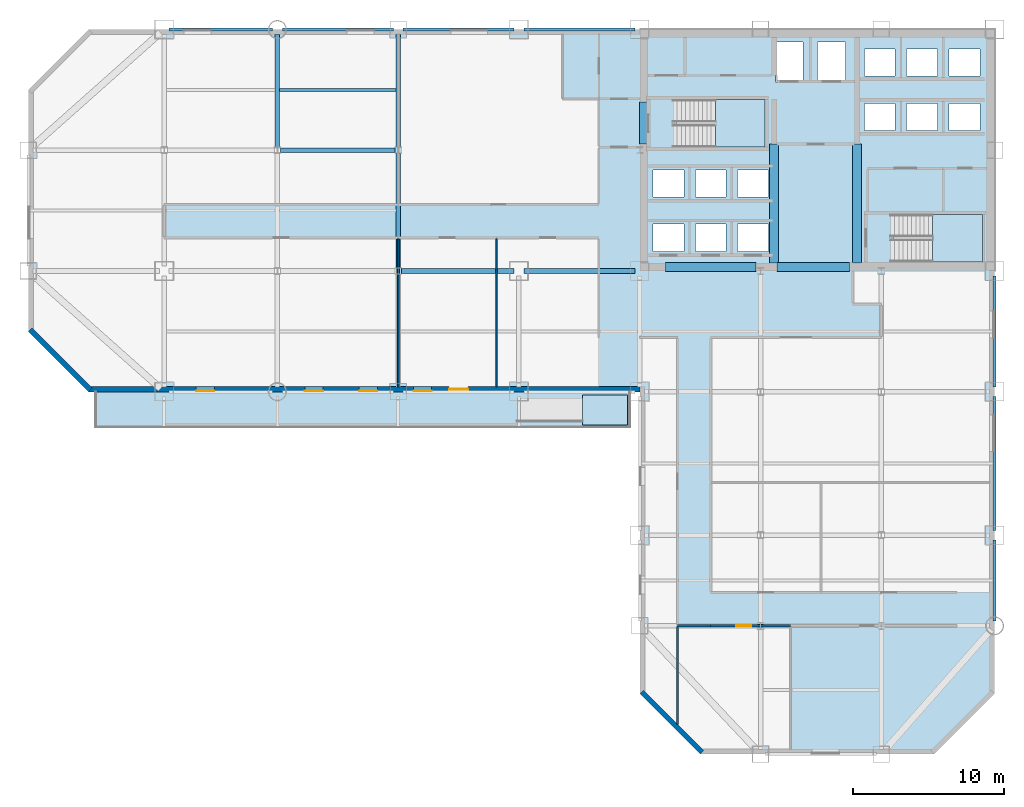
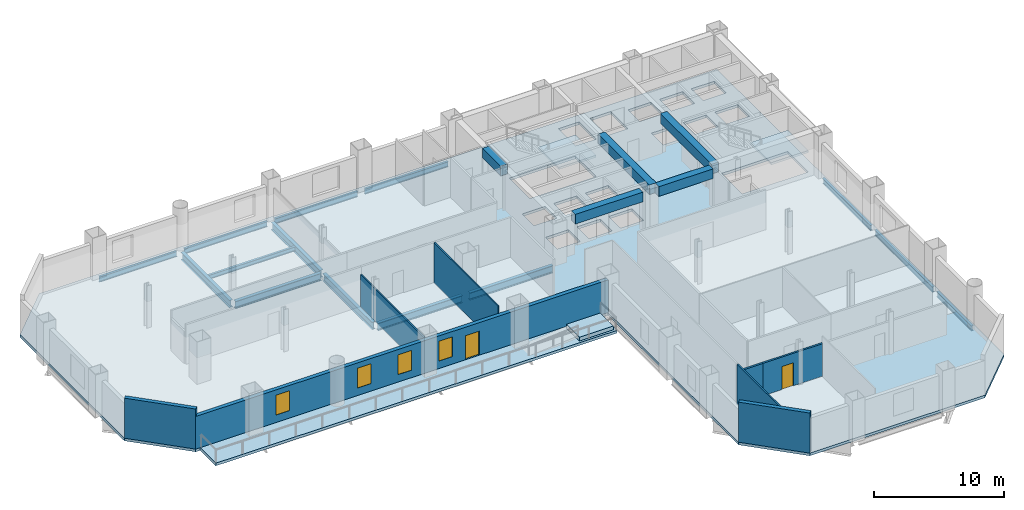
# One storey, part 4 of 9: 19 beams, 8 walls, 5 slabs, 4 windows, 2 doors, 6 openings, 3 elements without a shape of their own.
"""IFC4 building model written with IfcOpenShell, lengths in metres."""

from ifc_helpers import new_model, si_unit, direction, frame, frame_2d, origin, origin_2d, place, context, subcontext, project, spatial, polyline, rectangle, i_section, outline, extrude, material, layer, layer_set, material_profile, profile_set, type_object, element, fill, aggregate, save


model = new_model("IFC4")

# Units and contexts
model_context = context("Model", 3, precision=1e-05, world=origin(), true_north=direction((0.0, 1.0)))
body_context = subcontext(model_context, "Body", "Model", "MODEL_VIEW")
ifc_project = project(units=[si_unit("LENGTHUNIT", "METRE"), si_unit("AREAUNIT", "SQUARE_METRE"), si_unit("VOLUMEUNIT", "CUBIC_METRE"), si_unit("PLANEANGLEUNIT", "RADIAN"), si_unit("MASSUNIT", "GRAM", prefix="KILO")], contexts=[model_context])

# Site, building, storey
site_placement = place(None, origin())
site = spatial("IfcSite", under=ifc_project, at=site_placement, CompositionType="ELEMENT")
building_placement = place(site_placement, origin())
building = spatial("IfcBuilding", under=site, at=building_placement, Name="Qianrong Seaharbour Tower", CompositionType="ELEMENT")
storey_placement = place(building_placement, frame((0.0, 0.0, 64.199951171875)))
storey = spatial("IfcBuildingStorey", under=building, at=storey_placement, Name="L15", CompositionType="ELEMENT", Elevation=64.199951171875)

# Beams
ifc_material_1 = material(Name="Structural steel SN490B", Category="steel")
ifc_material_profile_1 = material_profile(ifc_material_1, i_section(OverallWidth=0.300048828125, OverallDepth=0.699951171875, WebThickness=0.012939453125, FlangeThickness=0.02392578125, FilletRadius=0.02587890625, at=origin_2d()), Name="H700x300x13x24")
ifc_profile_set_1 = profile_set([ifc_material_profile_1], Name="Structural steel SN490B")
beam_type_1 = type_object("IfcBeamType", Name="BM-G-700", PredefinedType="BEAM", material=ifc_profile_set_1)
beam_1_placement = place(storey_placement, frame((24.70361328125, 36.0, -0.599853515625), z_axis=(1.0, 0.0, 0.0), x_axis=(0.0, 1.0, 0.0)))
element("IfcBeam", 1, at=beam_1_placement, inside=storey, type_object=beam_type_1, Name="L15 Primary Girder GF G4-G5", PredefinedType="BEAM", context=body_context, shape_type="SweptSolid", body=[
    extrude(i_section(OverallWidth=0.300048828125, OverallDepth=0.699951171875, WebThickness=0.012939453125, FlangeThickness=0.02392578125, FilletRadius=0.02587890625, at=origin_2d()), origin(), (0.0, 0.0, 1.0), 7.476318359375),
])
beam_2_placement = place(storey_placement, frame((32.820068359375, 36.0, -0.599853515625), z_axis=(1.0, 0.0, 0.0), x_axis=(0.0, 1.0, 0.0)))
element("IfcBeam", 2, at=beam_2_placement, inside=storey, type_object=beam_type_1, Name="L15 Primary Girder GF G5-G6", PredefinedType="BEAM", context=body_context, shape_type="SweptSolid", body=[
    extrude(i_section(OverallWidth=0.300048828125, OverallDepth=0.699951171875, WebThickness=0.012939453125, FlangeThickness=0.02392578125, FilletRadius=0.02587890625, at=origin_2d()), origin(), (0.0, 0.0, 1.0), 7.35986328125),
])
beam_3_placement = place(storey_placement, frame((16.70361328125, 44.0, -0.599853515625), z_axis=(1.0, 0.0, 0.0), x_axis=(0.0, 1.0, 0.0)))
element("IfcBeam", 3, at=beam_3_placement, inside=storey, type_object=beam_type_1, Name="L15 Primary Girder GG G3-G4", PredefinedType="BEAM", context=body_context, shape_type="SweptSolid", body=[
    extrude(i_section(OverallWidth=0.300048828125, OverallDepth=0.699951171875, WebThickness=0.012939453125, FlangeThickness=0.02392578125, FilletRadius=0.02587890625, at=origin_2d()), origin(), (0.0, 0.0, 1.0), 7.5927734375),
])
beam_4_placement = place(storey_placement, frame((16.5, 44.214111328125, -0.599853515625), z_axis=(0.0, 1.0, 0.0), x_axis=(-1.0, 0.0, 0.0)))
element("IfcBeam", 4, at=beam_4_placement, inside=storey, type_object=beam_type_1, Name="L15 Primary Girder G3 GG-GH", PredefinedType="BEAM", context=body_context, shape_type="SweptSolid", body=[
    extrude(i_section(OverallWidth=0.300048828125, OverallDepth=0.699951171875, WebThickness=0.012939453125, FlangeThickness=0.02392578125, FilletRadius=0.02587890625, at=origin_2d()), origin(), (0.0, 0.0, 1.0), 7.4658203125),
])
beam_5_placement = place(storey_placement, frame((24.5, 36.214111328125, -0.599853515625), z_axis=(0.0, 1.0, 0.0), x_axis=(-1.0, 0.0, 0.0)))
element("IfcBeam", 5, at=beam_5_placement, inside=storey, type_object=beam_type_1, Name="L15 Primary Girder G4 GF-GG", PredefinedType="BEAM", context=body_context, shape_type="SweptSolid", body=[
    extrude(i_section(OverallWidth=0.300048828125, OverallDepth=0.699951171875, WebThickness=0.012939453125, FlangeThickness=0.02392578125, FilletRadius=0.02587890625, at=origin_2d()), origin(), (0.0, 0.0, 1.0), 7.57177734375),
])
beam_6_placement = place(storey_placement, frame((24.5, 44.214111328125, -0.599853515625), z_axis=(0.0, 1.0, 0.0), x_axis=(-1.0, 0.0, 0.0)))
element("IfcBeam", 6, at=beam_6_placement, inside=storey, type_object=beam_type_1, Name="L15 Primary Girder G4 GG-GH", PredefinedType="BEAM", context=body_context, shape_type="SweptSolid", body=[
    extrude(i_section(OverallWidth=0.300048828125, OverallDepth=0.699951171875, WebThickness=0.012939453125, FlangeThickness=0.02392578125, FilletRadius=0.02587890625, at=origin_2d()), origin(), (0.0, 0.0, 1.0), 7.4658203125),
])
ifc_material_2 = material(Name="Structural steel SN400B", Category="steel")
ifc_material_profile_2 = material_profile(ifc_material_2, i_section(OverallWidth=0.199951171875, OverallDepth=0.39990234375, WebThickness=0.008056640625, FlangeThickness=0.012939453125, FilletRadius=0.01611328125, at=origin_2d()), Name="H400x200x8x13")
ifc_profile_set_2 = profile_set([ifc_material_profile_2], Name="Structural steel SN400B")
beam_type_2 = type_object("IfcBeamType", Name="BM-J-400", PredefinedType="JOIST", material=ifc_profile_set_2)
beam_7_placement = place(storey_placement, frame((16.64990234375, 48.0, -0.449951171875), z_axis=(1.0, 0.0, 0.0), x_axis=(0.0, 1.0, 0.0)))
element("IfcBeam", 7, at=beam_7_placement, inside=storey, type_object=beam_type_2, Name="L15 Composite Floor Joist G3-G4/GG-GH", PredefinedType="JOIST", context=body_context, shape_type="SweptSolid", body=[
    extrude(i_section(OverallWidth=0.199951171875, OverallDepth=0.39990234375, WebThickness=0.008056640625, FlangeThickness=0.012939453125, FilletRadius=0.01611328125, at=origin_2d()), origin(), (0.0, 0.0, 1.0), 7.7001953125),
])
ifc_material_3 = material(Name="Concrete C70/85", Category="concrete")
ifc_material_profile_3 = material_profile(ifc_material_3, rectangle(XDim=0.60009765625, YDim=0.89990234375, at=origin_2d()), Name="RC600x900")
ifc_profile_set_3 = profile_set([ifc_material_profile_3], Name="Concrete C70/85")
beam_type_3 = type_object("IfcBeamType", Name="BM-LINTEL-900", PredefinedType="LINTEL", material=ifc_profile_set_3)
beam_8_placement = place(storey_placement, frame((40.77001953125, 44.39990234375, 3.300048828125), z_axis=(0.0, 1.0, 0.0), x_axis=(-1.0, 0.0, 0.0)))
element("IfcBeam", 8, at=beam_8_placement, inside=storey, type_object=beam_type_3, Name="L15 Core Coupling Lintel Beam West", PredefinedType="LINTEL", context=body_context, shape_type="SweptSolid", body=[
    extrude(rectangle(XDim=0.60009765625, YDim=0.89990234375, at=origin_2d()), origin(), (0.0, 0.0, 1.0), 2.800048828125),
])
beam_9_placement = place(storey_placement, frame((42.199951171875, 36.27001953125, 3.300048828125), z_axis=(1.0, 0.0, 0.0), x_axis=(0.0, 1.0, 0.0)))
element("IfcBeam", 9, at=beam_9_placement, inside=storey, type_object=beam_type_3, Name="L15 Core Coupling Lintel Beam CBW", PredefinedType="LINTEL", context=body_context, shape_type="SweptSolid", body=[
    extrude(rectangle(XDim=0.60009765625, YDim=0.89990234375, at=origin_2d()), origin(), (0.0, 0.0, 1.0), 6.0),
])
beam_10_placement = place(storey_placement, frame((49.60009765625, 36.27001953125, 3.300048828125), z_axis=(1.0, 0.0, 0.0), x_axis=(0.0, 1.0, 0.0)))
element("IfcBeam", 10, at=beam_10_placement, inside=storey, type_object=beam_type_3, Name="L15 Core Coupling Lintel Beam CBC", PredefinedType="LINTEL", context=body_context, shape_type="SweptSolid", body=[
    extrude(rectangle(XDim=0.60009765625, YDim=0.89990234375, at=origin_2d()), origin(), (0.0, 0.0, 1.0), 4.7998046875),
])
for number, where, z_axis, x_axis, name in (
    (11, (49.39990234375, 36.5400390625, 3.300048828125), (0.0, 1.0, 0.0), (-1.0, 0.0, 0.0), "L15 Internal Core Coupling Beam IW1"),
    (12, (54.89990234375, 36.5400390625, 3.300048828125), (0.0, 1.0, 0.0), (-1.0, 0.0, 0.0), "L15 Internal Core Coupling Beam IW2"),
):
    element("IfcBeam", number, at=place(storey_placement, frame(where, z_axis=z_axis, x_axis=x_axis)), inside=storey, type_object=beam_type_3, Name=name, PredefinedType="LINTEL", context=body_context, shape_type="SweptSolid", body=[
        extrude(rectangle(XDim=0.60009765625, YDim=0.89990234375, at=origin_2d()), origin(), (0.0, 0.0, 1.0), 7.85986328125),
    ])
ifc_material_profile_4 = material_profile(ifc_material_1, i_section(OverallWidth=0.199951171875, OverallDepth=0.5, WebThickness=0.010009765625, FlangeThickness=0.01611328125, FilletRadius=0.02001953125, at=origin_2d()), Name="H500x200x10x16")
ifc_profile_set_4 = profile_set([ifc_material_profile_4], Name="Structural steel SN490B")
beam_type_4 = type_object("IfcBeamType", Name="BM-SP-500", PredefinedType="SPANDREL", material=ifc_profile_set_4)
beam_11_placement = place(storey_placement, frame((9.320068359375, 52.0, -0.5), z_axis=(1.0, 0.0, 0.0), x_axis=(0.0, 1.0, 0.0)))
element("IfcBeam", 13, at=beam_11_placement, inside=storey, type_object=beam_type_4, Name="L15 Spandrel Girder GH G2-G3", PredefinedType="SPANDREL", context=body_context, shape_type="SweptSolid", body=[
    extrude(i_section(OverallWidth=0.199951171875, OverallDepth=0.5, WebThickness=0.010009765625, FlangeThickness=0.01611328125, FilletRadius=0.02001953125, at=origin_2d()), origin(), (0.0, 0.0, 1.0), 6.85986328125),
])
for number, where, z_axis, x_axis, name in (
    (14, (16.820068359375, 52.0, -0.5), (1.0, 0.0, 0.0), (0.0, 1.0, 0.0), "L15 Spandrel Girder GH G3-G4"),
    (15, (24.820068359375, 52.0, -0.5), (1.0, 0.0, 0.0), (0.0, 1.0, 0.0), "L15 Spandrel Girder GH G4-G5"),
    (16, (32.820068359375, 52.0, -0.5), (1.0, 0.0, 0.0), (0.0, 1.0, 0.0), "L15 Spandrel Girder GH G5-G6"),
):
    element("IfcBeam", number, at=place(storey_placement, frame(where, z_axis=z_axis, x_axis=x_axis)), inside=storey, type_object=beam_type_4, Name=name, PredefinedType="SPANDREL", context=body_context, shape_type="SweptSolid", body=[
        extrude(i_section(OverallWidth=0.199951171875, OverallDepth=0.5, WebThickness=0.010009765625, FlangeThickness=0.01611328125, FilletRadius=0.02001953125, at=origin_2d()), origin(), (0.0, 0.0, 1.0), 7.35986328125),
    ])
beam_12_placement = place(storey_placement, frame((64.0, 12.820068359375, -0.5), z_axis=(0.0, 1.0, 0.0), x_axis=(-1.0, 0.0, 0.0)))
element("IfcBeam", 17, at=beam_12_placement, inside=storey, type_object=beam_type_4, Name="L15 Spandrel Girder G9 GC-GD", PredefinedType="SPANDREL", context=body_context, shape_type="SweptSolid", body=[
    extrude(i_section(OverallWidth=0.199951171875, OverallDepth=0.5, WebThickness=0.010009765625, FlangeThickness=0.01611328125, FilletRadius=0.02001953125, at=origin_2d()), origin(), (0.0, 0.0, 1.0), 5.35986328125),
])
beam_13_placement = place(storey_placement, frame((64.0, 18.820068359375, -0.5), z_axis=(0.0, 1.0, 0.0), x_axis=(-1.0, 0.0, 0.0)))
element("IfcBeam", 18, at=beam_13_placement, inside=storey, type_object=beam_type_4, Name="L15 Spandrel Girder G9 GD-GE", PredefinedType="SPANDREL", context=body_context, shape_type="SweptSolid", body=[
    extrude(i_section(OverallWidth=0.199951171875, OverallDepth=0.5, WebThickness=0.010009765625, FlangeThickness=0.01611328125, FilletRadius=0.02001953125, at=origin_2d()), origin(), (0.0, 0.0, 1.0), 8.85986328125),
])
beam_14_placement = place(storey_placement, frame((64.0, 28.320068359375, -0.5), z_axis=(0.0, 1.0, 0.0), x_axis=(-1.0, 0.0, 0.0)))
element("IfcBeam", 19, at=beam_14_placement, inside=storey, type_object=beam_type_4, Name="L15 Spandrel Girder G9 GE-GF", PredefinedType="SPANDREL", context=body_context, shape_type="SweptSolid", body=[
    extrude(i_section(OverallWidth=0.199951171875, OverallDepth=0.5, WebThickness=0.010009765625, FlangeThickness=0.01611328125, FilletRadius=0.02001953125, at=origin_2d()), origin(), (0.0, 0.0, 1.0), 7.35986328125),
])

# Ramp, slab
ifc_material_4 = material(Name="White architectural precast concrete C45/55", Category="concrete")
ramp_type = type_object("IfcRampType", Name="RAMP-RIBBON-GARDEN", PredefinedType="STRAIGHT_RUN_RAMP", material=ifc_material_4)
ramp_placement = place(storey_placement, origin())
ramp = element("IfcRamp", 20, at=ramp_placement, inside=storey, type_object=ramp_type, Name="L15 Harbourfront Garden Ribbon Ramp", PredefinedType="STRAIGHT_RUN_RAMP")
ifc_layer_1 = layer(ifc_material_4, 0.360107421875)
ifc_layer_set_1 = layer_set([ifc_layer_1], Name="White architectural precast concrete C45/55")
slab_type_1 = type_object("IfcSlabType", Name="SLAB-RAMP-LANDING-220", PredefinedType="LANDING", material=ifc_layer_set_1)
slab_1_placement = place(storey_placement, origin())
slab_1 = element("IfcSlab", 21, at=slab_1_placement, type_object=slab_type_1, Name="L15 Harbourfront Ribbon Raised Garden Landing", PredefinedType="LANDING", context=body_context, shape_type="SweptSolid", body=[
    extrude(outline(polyline([(36.699951171875, 25.800048828125), (39.699951171875, 25.800048828125), (39.699951171875, 27.800048828125), (36.699951171875, 27.800048828125), (36.699951171875, 25.800048828125)])), origin(), (0.0, 0.0, 1.0), 0.360107421875),
])
aggregate(ramp, [slab_1])

# Slab
ifc_layer_2 = layer(ifc_material_4, 0.25)
ifc_layer_set_2 = layer_set([ifc_layer_2], Name="White architectural precast concrete C45/55")
slab_type_2 = type_object("IfcSlabType", Name="SLAB-RIBBON-250", PredefinedType="FLOOR", material=ifc_layer_set_2)
slab_2_placement = place(storey_placement, frame((0.0, 0.0, -0.25)))
element("IfcSlab", 22, at=slab_2_placement, inside=storey, type_object=slab_type_2, Name="L15 Harbourfront White Precast Ribbon Gallery Slab", PredefinedType="FLOOR", context=body_context, shape_type="SweptSolid", body=[
    extrude(outline(polyline([(4.39990234375, 25.60009765625), (39.89990234375, 25.60009765625), (39.89990234375, 28.0), (4.39990234375, 28.0), (4.39990234375, 25.60009765625)])), origin(), (0.0, 0.0, 1.0), 0.25),
])

# Stair, slab
ifc_material_5 = material(Name="Concrete C50/60", Category="concrete")
stair_type = type_object("IfcStairType", Name="STAIR-DOGLEG-1500-R22", PredefinedType="HALF_TURN_STAIR", material=ifc_material_5)
stair_1_placement = place(storey_placement, origin())
stair_1 = element("IfcStair", 23, at=stair_1_placement, inside=storey, type_object=stair_type, Name="L15 Protected Escape Stair ST-1", PredefinedType="HALF_TURN_STAIR")
ifc_layer_3 = layer(ifc_material_5, 0.199951171875)
ifc_layer_set_3 = layer_set([ifc_layer_3], Name="Concrete C50/60")
slab_type_3 = type_object("IfcSlabType", Name="SLAB-STAIR-LANDING-200", PredefinedType="LANDING", material=ifc_layer_set_3)
slab_3_placement = place(storey_placement, frame((0.0, 0.0, 1.800048828125)))
slab_3 = element("IfcSlab", 24, at=slab_3_placement, type_object=slab_type_3, Name="ST-1 landing 1", PredefinedType="LANDING", context=body_context, shape_type="SweptSolid", body=[
    extrude(outline(polyline([(45.5, 44.199951171875), (48.800048828125, 44.199951171875), (48.800048828125, 47.35009765625), (45.5, 47.35009765625), (45.5, 44.199951171875)])), origin(), (0.0, 0.0, 1.0), 0.199951171875),
])
aggregate(stair_1, [slab_3])

stair_2_placement = place(storey_placement, origin())
stair_2 = element("IfcStair", 25, at=stair_2_placement, inside=storey, type_object=stair_type, Name="L15 Protected Escape Stair ST-2", PredefinedType="HALF_TURN_STAIR")
slab_4_placement = place(storey_placement, frame((0.0, 0.0, 1.800048828125)))
slab_4 = element("IfcSlab", 26, at=slab_4_placement, type_object=slab_type_3, Name="ST-2 landing 1", PredefinedType="LANDING", context=body_context, shape_type="SweptSolid", body=[
    extrude(outline(polyline([(59.89990234375, 36.60009765625), (63.199951171875, 36.60009765625), (63.199951171875, 39.75), (59.89990234375, 39.75), (59.89990234375, 36.60009765625)])), origin(), (0.0, 0.0, 1.0), 0.199951171875),
])
aggregate(stair_2, [slab_4])

# Slab
ifc_layer_4 = layer(ifc_material_5, 0.25)
ifc_layer_set_4 = layer_set([ifc_layer_4], Name="Concrete C50/60")
slab_type_4 = type_object("IfcSlabType", Name="SLAB-Z1-250", PredefinedType="FLOOR", material=ifc_layer_set_4)
slab_5_placement = place(storey_placement, frame((0.0, 0.0, -0.25)))
element("IfcSlab", 27, at=slab_5_placement, inside=storey, type_object=slab_type_4, Name="L15 Structural Floor Slab", PredefinedType="FLOOR", context=body_context, shape_type="SweptSolid", body=[
    extrude(outline(polyline([(44.5, 4.0), (60.0, 4.0), (64.0, 8.0), (64.0, 52.0), (4.0, 52.0), (0.0, 48.0), (0.0, 32.0), (4.0, 28.0), (40.5, 28.0), (40.5, 8.0), (44.5, 4.0)]), holes=[polyline([(42.93994140625, 44.199951171875), (42.93994140625, 47.35009765625), (48.800048828125, 47.35009765625), (48.800048828125, 44.199951171875), (42.93994140625, 44.199951171875)]), polyline([(57.340087890625, 36.60009765625), (57.340087890625, 39.75), (63.199951171875, 39.75), (63.199951171875, 36.60009765625), (57.340087890625, 36.60009765625)]), polyline([(49.47998046875, 48.530029296875), (49.47998046875, 51.169921875), (51.320068359375, 51.169921875), (51.320068359375, 48.530029296875), (49.47998046875, 48.530029296875)]), polyline([(52.280029296875, 48.530029296875), (52.280029296875, 51.169921875), (54.1201171875, 51.169921875), (54.1201171875, 48.530029296875), (52.280029296875, 48.530029296875)]), polyline([(41.3798828125, 37.300048828125), (41.3798828125, 39.10009765625), (43.419921875, 39.10009765625), (43.419921875, 37.300048828125), (41.3798828125, 37.300048828125)]), polyline([(44.179931640625, 37.300048828125), (44.179931640625, 39.10009765625), (46.219970703125, 39.10009765625), (46.219970703125, 37.300048828125), (44.179931640625, 37.300048828125)]), polyline([(46.97998046875, 37.300048828125), (46.97998046875, 39.10009765625), (49.02001953125, 39.10009765625), (49.02001953125, 37.300048828125), (46.97998046875, 37.300048828125)]), polyline([(41.3798828125, 40.89990234375), (41.3798828125, 42.699951171875), (43.419921875, 42.699951171875), (43.419921875, 40.89990234375), (41.3798828125, 40.89990234375)]), polyline([(44.179931640625, 40.89990234375), (44.179931640625, 42.699951171875), (46.219970703125, 42.699951171875), (46.219970703125, 40.89990234375), (44.179931640625, 40.89990234375)]), polyline([(46.97998046875, 40.89990234375), (46.97998046875, 42.699951171875), (49.02001953125, 42.699951171875), (49.02001953125, 40.89990234375), (46.97998046875, 40.89990234375)]), polyline([(55.3798828125, 45.300048828125), (55.3798828125, 47.10009765625), (57.419921875, 47.10009765625), (57.419921875, 45.300048828125), (55.3798828125, 45.300048828125)]), polyline([(58.179931640625, 45.300048828125), (58.179931640625, 47.10009765625), (60.219970703125, 47.10009765625), (60.219970703125, 45.300048828125), (58.179931640625, 45.300048828125)]), polyline([(60.97998046875, 45.300048828125), (60.97998046875, 47.10009765625), (63.02001953125, 47.10009765625), (63.02001953125, 45.300048828125), (60.97998046875, 45.300048828125)]), polyline([(55.3798828125, 48.89990234375), (55.3798828125, 50.699951171875), (57.419921875, 50.699951171875), (57.419921875, 48.89990234375), (55.3798828125, 48.89990234375)]), polyline([(58.179931640625, 48.89990234375), (58.179931640625, 50.699951171875), (60.219970703125, 50.699951171875), (60.219970703125, 48.89990234375), (58.179931640625, 48.89990234375)]), polyline([(60.97998046875, 48.89990234375), (60.97998046875, 50.699951171875), (63.02001953125, 50.699951171875), (63.02001953125, 48.89990234375), (60.97998046875, 48.89990234375)])]), origin(), (0.0, 0.0, 1.0), 0.25),
])

# Wall
ifc_material_6 = material(Name="Fire-rated acoustic gypsum board partition")
ifc_layer_5 = layer(ifc_material_6, 0.1650390625)
ifc_layer_set_5 = layer_set([ifc_layer_5], Name="Fire-rated acoustic gypsum board partition")
wall_type_1 = type_object("IfcWallType", Name="WALL-CORR-PART-165", PredefinedType="PARTITIONING", material=ifc_layer_set_5)
wall_1_placement = place(storey_placement, frame((45.199951171875, 12.5, 0.0), z_axis=(0.0, 0.0, 1.0), x_axis=(-1.0, 0.0, 0.0)))
element("IfcWall", 28, at=wall_1_placement, inside=storey, type_object=wall_type_1, Name="L15 Interior Partition Wall 031", PredefinedType="PARTITIONING", context=body_context, shape_type="SweptSolid", body=[
    extrude(rectangle(XDim=2.199951171875, YDim=0.1650390625, at=frame_2d((1.10009765625, 0.0))), origin(), (0.0, 0.0, 1.0), 3.0419921875),
])

# Wall, opening, door
wall_2_placement = place(storey_placement, frame((50.5, 12.5, 0.0), z_axis=(0.0, 0.0, 1.0), x_axis=(-1.0, 0.0, 0.0)))
wall_2 = element("IfcWall", 29, at=wall_2_placement, inside=storey, type_object=wall_type_1, Name="L15 Interior Partition Wall 034", PredefinedType="PARTITIONING", context=body_context, shape_type="SweptSolid", body=[
    extrude(rectangle(XDim=5.300048828125, YDim=0.1650390625, at=frame_2d((2.64990234375, 0.0))), origin(), (0.0, 0.0, 1.0), 3.0419921875),
])
opening_1_placement = place(wall_2_placement, frame((2.60009765625, 0.0, 0.0)))
opening_1 = element("IfcOpeningElement", 30, at=opening_1_placement, cuts=wall_2, Name="Opening DO-01", PredefinedType="OPENING", context=body_context, shape_type="SweptSolid", body=[
    extrude(rectangle(XDim=1.0, YDim=2.14990234375, at=frame_2d((0.5, 1.074951171875))), frame((0.0, 0.092529296875, 0.0), z_axis=(0.0, -1.0, 0.0), x_axis=(1.0, 0.0, 0.0)), (0.0, 0.0, 1.0), 0.18505859375),
])
ifc_material_7 = material(Name="Acoustic timber and galvanized steel fire door assembly", Category="steel")
door_type_1 = type_object("IfcDoorType", Name="DOOR-OFFICE-1000x2150", OperationType="NOTDEFINED", PredefinedType="DOOR", material=ifc_material_7)
door_1_placement = place(opening_1_placement, origin())
door_1 = element("IfcDoor", 31, at=door_1_placement, inside=storey, type_object=door_type_1, Name="L15 Harbour Symposium Hall 1 Door", OperationType="SINGLE_SWING_RIGHT", OverallHeight=2.14990234375, OverallWidth=1.0, PredefinedType="DOOR", context=body_context, shape_type="SweptSolid", body=[
    extrude(rectangle(XDim=1.0, YDim=2.14990234375, at=frame_2d((0.5, 1.074951171875))), frame((0.0, 0.02490234375, 0.0), z_axis=(0.0, -1.0, 0.0), x_axis=(1.0, 0.0, 0.0)), (0.0, 0.0, 1.0), 0.050048828125),
])
fill(opening_1, door_1)

# Walls
ifc_material_8 = material(Name="Demountable aluminium-framed acoustic office partition", Category="aluminium")
ifc_layer_6 = layer(ifc_material_8, 0.110107421875)
ifc_layer_set_6 = layer_set([ifc_layer_6], Name="Demountable aluminium-framed acoustic office partition")
wall_type_2 = type_object("IfcWallType", Name="WALL-DEMOUNT-110", PredefinedType="MOVABLE", material=ifc_layer_set_6)
wall_3_placement = place(storey_placement, frame((24.5, 38.12548828125, 0.0), z_axis=(0.0, 0.0, 1.0), x_axis=(0.0, -1.0, 0.0)))
element("IfcWall", 32, at=wall_3_placement, inside=storey, type_object=wall_type_2, Name="L15 Interior Partition Wall 037", PredefinedType="MOVABLE", context=body_context, shape_type="SweptSolid", body=[
    extrude(rectangle(XDim=9.79345703125, YDim=0.110107421875, at=frame_2d((4.896728515625, 0.0))), origin(), (0.0, 0.0, 1.0), 3.0419921875),
])
wall_4_placement = place(storey_placement, frame((31.0, 38.12548828125, 0.0), z_axis=(0.0, 0.0, 1.0), x_axis=(0.0, -1.0, 0.0)))
element("IfcWall", 33, at=wall_4_placement, inside=storey, type_object=wall_type_2, Name="L15 Interior Partition Wall 038", PredefinedType="MOVABLE", context=body_context, shape_type="SweptSolid", body=[
    extrude(rectangle(XDim=9.79345703125, YDim=0.110107421875, at=frame_2d((4.896728515625, 0.0))), origin(), (0.0, 0.0, 1.0), 3.75),
])

# Wall, openings, door, windows
ifc_material_9 = material(Name="Unitised buff brick on Precast concrete C45/55", Category="masonry")
ifc_layer_7 = layer(ifc_material_9, 0.340087890625)
ifc_layer_set_7 = layer_set([ifc_layer_7], Name="Unitised buff brick on Precast concrete C45/55")
wall_type_3 = type_object("IfcWallType", Name="WALL-EXT-BRICK-BUFF-340", PredefinedType="SOLIDWALL", material=ifc_layer_set_7)
wall_5_placement = place(storey_placement, frame((40.52001953125, 28.169921875, 0.0), z_axis=(0.0, 0.0, 1.0), x_axis=(-1.0, 0.0, 0.0)))
wall_5 = element("IfcWall", 34, at=wall_5_placement, inside=storey, type_object=wall_type_3, Name="L15 Exterior Masonry Facade Wall HARBOUR_RIBBON", PredefinedType="SOLIDWALL", context=body_context, shape_type="SweptSolid", body=[
    extrude(rectangle(XDim=36.52001953125, YDim=0.340087890625, at=frame_2d((18.260009765625, 0.0))), origin(), (0.0, 0.0, 1.0), 3.050048828125),
])
opening_2_placement = place(wall_5_placement, frame((13.800048828125, 0.0, 0.699951171875)))
opening_2 = element("IfcOpeningElement", 35, at=opening_2_placement, cuts=wall_5, Name="Opening WN-01", PredefinedType="OPENING", context=body_context, shape_type="SweptSolid", body=[
    extrude(rectangle(XDim=1.199951171875, YDim=1.85009765625, at=frame_2d((0.60009765625, 0.925048828125))), frame((0.0, 0.18017578125, 0.0), z_axis=(0.0, -1.0, 0.0), x_axis=(1.0, 0.0, 0.0)), (0.0, 0.0, 1.0), 0.360107421875),
])
opening_3_placement = place(wall_5_placement, frame((17.39990234375, 0.0, 0.699951171875)))
opening_3 = element("IfcOpeningElement", 36, at=opening_3_placement, cuts=wall_5, Name="Opening WN-01", PredefinedType="OPENING", context=body_context, shape_type="SweptSolid", body=[
    extrude(rectangle(XDim=1.199951171875, YDim=1.85009765625, at=frame_2d((0.60009765625, 0.925048828125))), frame((0.0, 0.18017578125, 0.0), z_axis=(0.0, -1.0, 0.0), x_axis=(1.0, 0.0, 0.0)), (0.0, 0.0, 1.0), 0.360107421875),
])
opening_4_placement = place(wall_5_placement, frame((21.0, 0.0, 0.699951171875)))
opening_4 = element("IfcOpeningElement", 37, at=opening_4_placement, cuts=wall_5, Name="Opening WN-01", PredefinedType="OPENING", context=body_context, shape_type="SweptSolid", body=[
    extrude(rectangle(XDim=1.199951171875, YDim=1.85009765625, at=frame_2d((0.60009765625, 0.925048828125))), frame((0.0, 0.18017578125, 0.0), z_axis=(0.0, -1.0, 0.0), x_axis=(1.0, 0.0, 0.0)), (0.0, 0.0, 1.0), 0.360107421875),
])
opening_5_placement = place(wall_5_placement, frame((28.199951171875, 0.0, 0.699951171875)))
opening_5 = element("IfcOpeningElement", 38, at=opening_5_placement, cuts=wall_5, Name="Opening WN-01", PredefinedType="OPENING", context=body_context, shape_type="SweptSolid", body=[
    extrude(rectangle(XDim=1.199951171875, YDim=1.85009765625, at=frame_2d((0.60009765625, 0.925048828125))), frame((0.0, 0.18017578125, 0.0), z_axis=(0.0, -1.0, 0.0), x_axis=(1.0, 0.0, 0.0)), (0.0, 0.0, 1.0), 0.360107421875),
])
opening_6_placement = place(wall_5_placement, frame((11.39501953125, 0.0, 0.0)))
opening_6 = element("IfcOpeningElement", 39, at=opening_6_placement, cuts=wall_5, Name="Opening D-TER1", PredefinedType="OPENING", context=body_context, shape_type="SweptSolid", body=[
    extrude(rectangle(XDim=1.25, YDim=2.25, at=frame_2d((0.625, 1.125))), frame((0.0, 0.18017578125, 0.0), z_axis=(0.0, -1.0, 0.0), x_axis=(1.0, 0.0, 0.0)), (0.0, 0.0, 1.0), 0.360107421875),
])
ifc_material_10 = material(Name="Insulated galvanized steel and laminated glass door assembly", Category="steel")
door_type_2 = type_object("IfcDoorType", Name="DOOR-EXT-TERRACE-1250x2250", OperationType="NOTDEFINED", PredefinedType="DOOR", material=ifc_material_10)
door_2_placement = place(opening_6_placement, origin())
door_2 = element("IfcDoor", 40, at=door_2_placement, inside=storey, type_object=door_type_2, Name="L15 Harbourfront Ribbon Gallery Access Door", OperationType="SINGLE_SWING_RIGHT", OverallHeight=2.25, OverallWidth=1.25, PredefinedType="DOOR", context=body_context, shape_type="SweptSolid", body=[
    extrude(rectangle(XDim=1.25, YDim=2.25, at=frame_2d((0.625, 1.125))), frame((0.0, 0.02490234375, 0.0), z_axis=(0.0, -1.0, 0.0), x_axis=(1.0, 0.0, 0.0)), (0.0, 0.0, 1.0), 0.050048828125),
])
fill(opening_6, door_2)
ifc_material_11 = material(Name="Insulated low-e double glazing in thermally broken aluminium 6063-T6 frame", Category="aluminium")
window_type = type_object("IfcWindowType", Name="WIN-PUNCH-1200x1850", PartitioningType="DOUBLE_PANEL_VERTICAL", PredefinedType="WINDOW", material=ifc_material_11)
window_1_placement = place(opening_2_placement, origin())
window_1 = element("IfcWindow", 41, at=window_1_placement, inside=storey, type_object=window_type, Name="L15 Deep-Set Punched Window 01.04", OverallHeight=1.85009765625, OverallWidth=1.199951171875, PartitioningType="DOUBLE_PANEL_VERTICAL", PredefinedType="WINDOW", context=body_context, shape_type="SweptSolid", body=[
    extrude(rectangle(XDim=1.199951171875, YDim=1.85009765625, at=frame_2d((0.60009765625, 0.925048828125))), frame((0.0, 0.150146484375, 0.0), z_axis=(0.0, -1.0, 0.0), x_axis=(1.0, 0.0, 0.0)), (0.0, 0.0, 1.0), 0.06005859375),
])
fill(opening_2, window_1)
window_2_placement = place(opening_3_placement, origin())
window_2 = element("IfcWindow", 42, at=window_2_placement, inside=storey, type_object=window_type, Name="L15 Deep-Set Punched Window 01.05", OverallHeight=1.85009765625, OverallWidth=1.199951171875, PartitioningType="DOUBLE_PANEL_VERTICAL", PredefinedType="WINDOW", context=body_context, shape_type="SweptSolid", body=[
    extrude(rectangle(XDim=1.199951171875, YDim=1.85009765625, at=frame_2d((0.60009765625, 0.925048828125))), frame((0.0, 0.150146484375, 0.0), z_axis=(0.0, -1.0, 0.0), x_axis=(1.0, 0.0, 0.0)), (0.0, 0.0, 1.0), 0.06005859375),
])
fill(opening_3, window_2)
window_3_placement = place(opening_4_placement, origin())
window_3 = element("IfcWindow", 43, at=window_3_placement, inside=storey, type_object=window_type, Name="L15 Deep-Set Punched Window 01.06", OverallHeight=1.85009765625, OverallWidth=1.199951171875, PartitioningType="DOUBLE_PANEL_VERTICAL", PredefinedType="WINDOW", context=body_context, shape_type="SweptSolid", body=[
    extrude(rectangle(XDim=1.199951171875, YDim=1.85009765625, at=frame_2d((0.60009765625, 0.925048828125))), frame((0.0, 0.150146484375, 0.0), z_axis=(0.0, -1.0, 0.0), x_axis=(1.0, 0.0, 0.0)), (0.0, 0.0, 1.0), 0.06005859375),
])
fill(opening_4, window_3)
window_4_placement = place(opening_5_placement, origin())
window_4 = element("IfcWindow", 44, at=window_4_placement, inside=storey, type_object=window_type, Name="L15 Deep-Set Punched Window 01.08", OverallHeight=1.85009765625, OverallWidth=1.199951171875, PartitioningType="DOUBLE_PANEL_VERTICAL", PredefinedType="WINDOW", context=body_context, shape_type="SweptSolid", body=[
    extrude(rectangle(XDim=1.199951171875, YDim=1.85009765625, at=frame_2d((0.60009765625, 0.925048828125))), frame((0.0, 0.150146484375, 0.0), z_axis=(0.0, -1.0, 0.0), x_axis=(1.0, 0.0, 0.0)), (0.0, 0.0, 1.0), 0.06005859375),
])
fill(opening_5, window_4)

# Walls
for number, where, z_axis, x_axis, name in (
    (45, (4.1201171875, 28.1201171875, 0.0), (0.0, 0.0, 1.0), (-0.707106781187, 0.707106781187, 0.0), "L15 Exterior Masonry Facade Wall E02"),
    (46, (44.6201171875, 4.1201171875, 0.0), (0.0, 0.0, 1.0), (-0.707106781187, 0.707106781187, 0.0), "L15 Exterior Masonry Facade Wall E09"),
):
    element("IfcWall", number, at=place(storey_placement, frame(where, z_axis=z_axis, x_axis=x_axis)), inside=storey, type_object=wall_type_3, Name=name, PredefinedType="SOLIDWALL", context=body_context, shape_type="SweptSolid", body=[
        extrude(rectangle(XDim=5.65673828125, YDim=0.340087890625, at=frame_2d((2.828369140625, 0.0))), origin(), (0.0, 0.0, 1.0), 3.75),
    ])
ifc_material_12 = material(Name="Water-resistant cement board sanitary partition")
ifc_layer_8 = layer(ifc_material_12, 0.1298828125)
ifc_layer_set_8 = layer_set([ifc_layer_8], Name="Water-resistant cement board sanitary partition")
wall_type_4 = type_object("IfcWallType", Name="WALL-WET-PART-130", PredefinedType="PARTITIONING", material=ifc_layer_set_8)
wall_6_placement = place(storey_placement, frame((43.0, 12.425537109375, 0.0), z_axis=(0.0, 0.0, 1.0), x_axis=(0.0, -1.0, 0.0)))
element("IfcWall", 47, at=wall_6_placement, inside=storey, type_object=wall_type_4, Name="L15 Interior Partition Wall 042", PredefinedType="PARTITIONING", context=body_context, shape_type="SweptSolid", body=[
    extrude(rectangle(XDim=6.4560546875, YDim=0.1298828125, at=frame_2d((3.22802734375, 0.0))), origin(), (0.0, 0.0, 1.0), 3.75),
])

save(model, "model.ifc")
